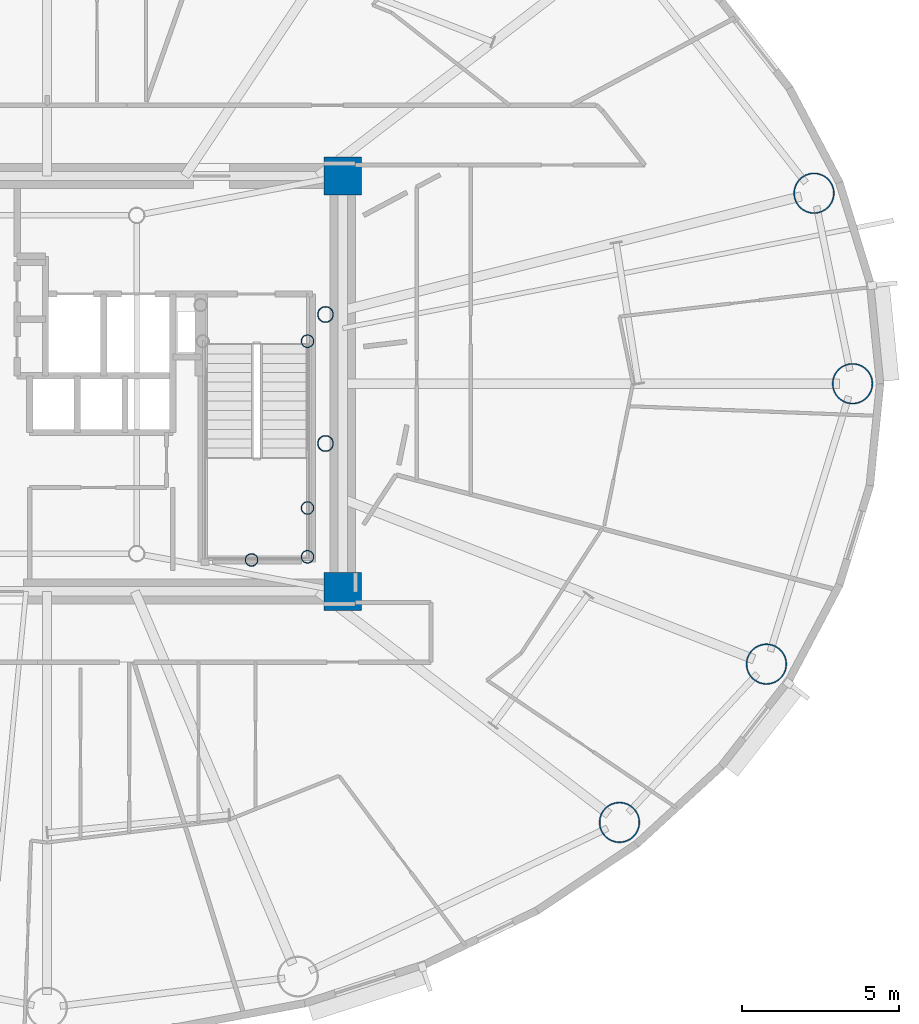
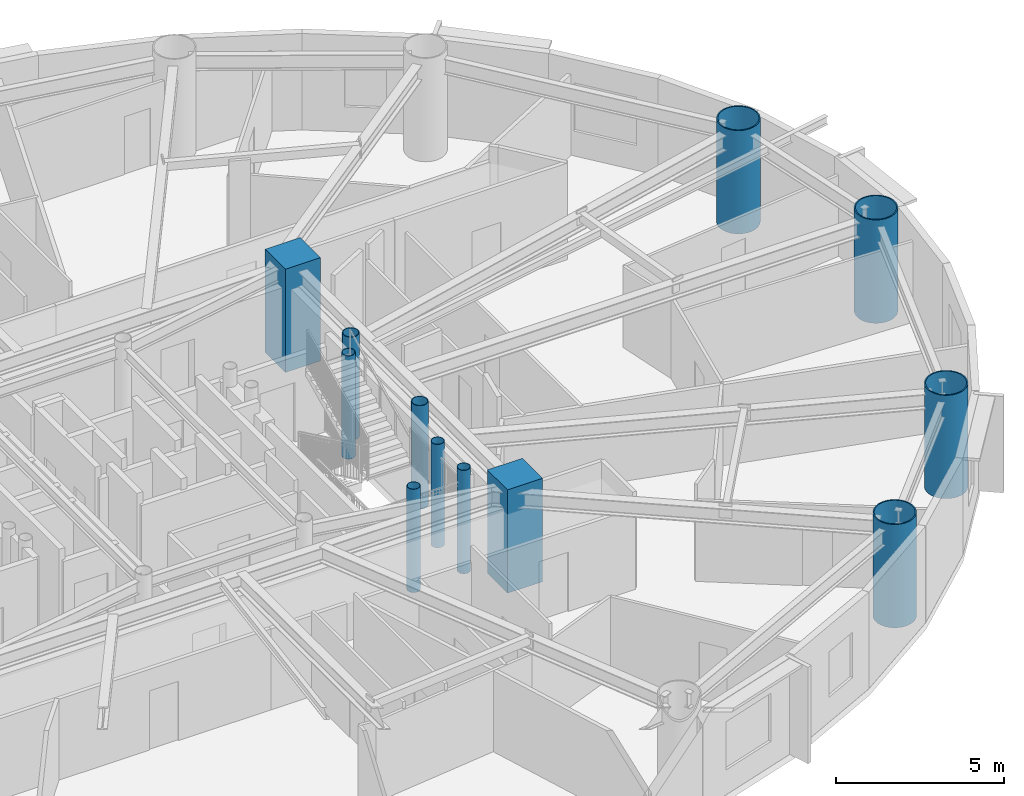
# One storey, part 2 of 19: 12 columns.
"""IFC4 building model written with IfcOpenShell, lengths in metres."""

import ifcopenshell
import ifcopenshell.guid

model = None  # the IFC model being written
_history = None  # IfcOwnerHistory: only IFC2X3 demands one
_inside = {}  # id of a spatial element -> (the spatial element, [elements in it])
_under = {}  # id of a project, library or spatial element -> (it, [spatial elements below it])
_declared = {}  # id of a project -> (the project, [libraries it declares])
_typed = {}  # id of a type object -> (the type object, [elements of that type])
_made_of = {}  # id of a material, layer set ... -> (it, [elements and type objects made of it])


def new_model(schema):
    """Start an empty IFC model of exactly this schema.

    Asked for "IFC4X3", IfcOpenShell would pick the latest addendum, in which some entities
    have other attributes; the version numbers below select the first issue.
    IFC2X3 requires an IfcOwnerHistory on every rooted entity: one is made here for all.
    """
    global model, _history
    if schema == "IFC4X3":
        model = ifcopenshell.file(schema_version=(4, 3, 0, 0))
    else:
        model = ifcopenshell.file(schema=schema)
    _inside.clear()
    _under.clear()
    _declared.clear()
    _typed.clear()
    _made_of.clear()
    _history = None
    if model.schema == "IFC2X3":
        org = make("IfcOrganization", Name="unknown")
        user = make(
            "IfcPersonAndOrganization",
            ThePerson=make("IfcPerson", FamilyName="unknown"),
            TheOrganization=org,
        )
        app = make(
            "IfcApplication",
            ApplicationDeveloper=org,
            Version="unknown",
            ApplicationFullName="unknown",
            ApplicationIdentifier="unknown",
        )
        _history = make(
            "IfcOwnerHistory",
            OwningUser=user,
            OwningApplication=app,
            ChangeAction="ADDED",
            CreationDate=0,
        )
    return model


def make(cls, **values):
    """One entity of the class cls with the attributes given. An attribute that is None is left unset."""
    return model.create_entity(
        cls, **{name: value for name, value in values.items() if value is not None}
    )


def rooted(cls, **values):
    """An entity with a GlobalId (a new one), such as an element, a storey or a relation."""
    return make(cls, GlobalId=ifcopenshell.guid.new(), OwnerHistory=_history, **values)


def si_unit(unit_type, name, prefix=None):
    """IfcSIUnit, for example si_unit("LENGTHUNIT", "METRE", prefix="MILLI")."""
    return make("IfcSIUnit", UnitType=unit_type, Prefix=prefix, Name=name)


def assignment(units):
    """IfcUnitAssignment: the units of a project."""
    return None if units is None else make("IfcUnitAssignment", Units=units)


def point(xyz):
    """IfcCartesianPoint."""
    return None if xyz is None else make("IfcCartesianPoint", Coordinates=xyz)


def direction(xyz):
    """IfcDirection."""
    return None if xyz is None else make("IfcDirection", DirectionRatios=xyz)


def frame(location, z_axis=None, x_axis=None):
    """IfcAxis2Placement3D, a coordinate frame: its origin and axes. An axis left out is left unset."""
    return make(
        "IfcAxis2Placement3D",
        Location=point(location),
        Axis=direction(z_axis),
        RefDirection=direction(x_axis),
    )


def frame_2d(location, x_axis=None):
    """IfcAxis2Placement2D, a coordinate frame in the plane: its origin and x axis."""
    return make(
        "IfcAxis2Placement2D", Location=point(location), RefDirection=direction(x_axis)
    )


def origin():
    """The frame at (0, 0, 0) with its axes left unset."""
    return frame((0.0, 0.0, 0.0))


def origin_2d():
    """The frame at (0, 0) in the plane with its x axis left unset."""
    return frame_2d((0.0, 0.0))


def place(relative_to, where):
    """IfcLocalPlacement: puts the frame where relative to a parent placement (None: the world)."""
    return make(
        "IfcLocalPlacement", PlacementRelTo=relative_to, RelativePlacement=where
    )


def context(
    kind, dimensions, precision=None, world=None, true_north=None, identifier=None
):
    """IfcGeometricRepresentationContext, for example the 3D "Model" context."""
    return make(
        "IfcGeometricRepresentationContext",
        ContextIdentifier=identifier,
        ContextType=kind,
        CoordinateSpaceDimension=dimensions,
        Precision=precision,
        WorldCoordinateSystem=world,
        TrueNorth=true_north,
    )


def subcontext(parent, identifier, kind, view, scale=None):
    """IfcGeometricRepresentationSubContext, for example "Body" below "Model"."""
    return make(
        "IfcGeometricRepresentationSubContext",
        ContextIdentifier=identifier,
        ContextType=kind,
        ParentContext=parent,
        TargetScale=scale,
        TargetView=view,
    )


def project(units=None, contexts=None):
    """IfcProject with its units and contexts."""
    return rooted(
        "IfcProject",
        Name="project",
        RepresentationContexts=contexts,
        UnitsInContext=assignment(units),
    )


def spatial(cls, under=None, at=None, **own):
    """A site, building, storey or space (cls), placed at a placement, below another one or the project."""
    s = rooted(cls, ObjectPlacement=at, **own)
    if under is not None:
        _under.setdefault(under.id(), (under, []))[1].append(s)
    return s


def profile(cls, at=None, kind="AREA", **sizes):
    """A parametric profile (cls). Its sizes go by their IFC names, for example OverallWidth=200.0."""
    return make(cls, ProfileType=kind, Position=at, **sizes)


def rectangle(**sizes):
    """IfcRectangleProfileDef."""
    return profile("IfcRectangleProfileDef", **sizes)


def hollow_circle(**sizes):
    """IfcCircleHollowProfileDef."""
    return profile("IfcCircleHollowProfileDef", **sizes)


def extrude(swept, where, along, depth):
    """IfcExtrudedAreaSolid: the profile swept, set in the frame where, extruded along a direction by depth."""
    return make(
        "IfcExtrudedAreaSolid",
        SweptArea=swept,
        Position=where,
        ExtrudedDirection=direction(along),
        Depth=depth,
    )


def shape(context_of_items, identifier, shape_type, items):
    """IfcShapeRepresentation: the items that make up one representation, for example the "Body"."""
    return make(
        "IfcShapeRepresentation",
        ContextOfItems=context_of_items,
        RepresentationIdentifier=identifier,
        RepresentationType=shape_type,
        Items=items,
    )


def material(Name=None, Category=None):
    """IfcMaterial."""
    return make("IfcMaterial", Name=Name, Category=Category)


def material_profile(
    of_material, cross_section, Name=None, Category=None, Priority=None
):
    """IfcMaterialProfile: a cross section and its material."""
    return make(
        "IfcMaterialProfile",
        Name=Name,
        Material=of_material,
        Profile=cross_section,
        Priority=Priority,
        Category=Category,
    )


def profile_set(profiles, Name=None, composite=None):
    """IfcMaterialProfileSet."""
    return make(
        "IfcMaterialProfileSet",
        Name=Name,
        MaterialProfiles=profiles,
        CompositeProfile=composite,
    )


def made_of(thing, what):
    """Note that an element or type object is made of a material, layer set ...; save() writes the relation."""
    if what is not None:
        _made_of.setdefault(what.id(), (what, []))[1].append(thing)
    return thing


def type_object(cls, material=None, **own):
    """A type object (cls), such as IfcWallType, which elements share."""
    return made_of(rooted(cls, **own), material)


def element(
    cls,
    number,
    at=None,
    inside=None,
    cuts=None,
    type_object=None,
    material=None,
    context=None,
    identifier="Body",
    shape_type=None,
    held_by="IfcProductDefinitionShape",
    body=None,
    shapes=None,
    **own,
):
    """One element of the class cls, such as IfcWall. Its Tag is "e" and its number.

    at: its placement. inside: the storey or other place that contains it. cuts: it is an
    opening in that element (IfcRelVoidsElement). A single representation is given by context,
    identifier, shape_type and body (its items); several are given by shapes. held_by: the class
    of the entity that holds the representations. save() writes the other relations.
    """
    e = rooted(cls, Tag="e%d" % number, ObjectPlacement=at, **own)
    if body is not None:
        shapes = [shape(context, identifier, shape_type, body)]
    if shapes is not None:
        e.Representation = make(held_by, Representations=shapes)
    if inside is not None:
        _inside.setdefault(inside.id(), (inside, []))[1].append(e)
    if cuts is not None:
        rooted(
            "IfcRelVoidsElement", RelatingBuildingElement=cuts, RelatedOpeningElement=e
        )
    if type_object is not None:
        _typed.setdefault(type_object.id(), (type_object, []))[1].append(e)
    return made_of(e, material)


def aggregate(whole, parts):
    """IfcRelAggregates: a whole, such as a stair, and the parts it consists of."""
    return rooted("IfcRelAggregates", RelatingObject=whole, RelatedObjects=parts)


def save(model, path):
    """Write the relations noted so far, then the file.

    IfcRelAggregates (storeys below a building ...), IfcRelContainedInSpatialStructure (elements
    in a storey), IfcRelDefinesByType, IfcRelAssociatesMaterial and IfcRelDeclares: one each for
    every whole, place, type object, material and project.
    """
    for whole, parts in _under.values():
        aggregate(whole, parts)
    for where, things in _inside.values():
        rooted(
            "IfcRelContainedInSpatialStructure",
            RelatedElements=things,
            RelatingStructure=where,
        )
    for kind, things in _typed.values():
        rooted("IfcRelDefinesByType", RelatedObjects=things, RelatingType=kind)
    for what, things in _made_of.values():
        rooted("IfcRelAssociatesMaterial", RelatedObjects=things, RelatingMaterial=what)
    for by, libraries in _declared.values():
        rooted("IfcRelDeclares", RelatingContext=by, RelatedDefinitions=libraries)
    model.write(path)


model = new_model("IFC4")

# Units and contexts
model_context = context("Model", 3, precision=1e-05, world=origin(), true_north=direction((0.0, 1.0)))
body_context = subcontext(model_context, "Body", "Model", "MODEL_VIEW")
ifc_project = project(units=[si_unit("LENGTHUNIT", "METRE"), si_unit("AREAUNIT", "SQUARE_METRE"), si_unit("VOLUMEUNIT", "CUBIC_METRE"), si_unit("PLANEANGLEUNIT", "RADIAN"), si_unit("MASSUNIT", "GRAM", prefix="KILO")], contexts=[model_context])

# Site, building, storey
site_placement = place(None, origin())
site = spatial("IfcSite", under=ifc_project, at=site_placement, CompositionType="ELEMENT")
building_placement = place(site_placement, origin())
building = spatial("IfcBuilding", under=site, at=building_placement, Name="Linh Dai School and Residence Tower", CompositionType="ELEMENT")
storey_placement = place(building_placement, frame((0.0, 0.0, 174.89990234375)))
storey = spatial("IfcBuildingStorey", under=building, at=storey_placement, Name="L42", CompositionType="ELEMENT", Elevation=174.89990234375)

# Columns
ifc_material_1 = material(Name="Concrete B60 (C50/60)", Category="concrete")
ifc_material_profile_1 = material_profile(ifc_material_1, rectangle(XDim=1.199951171875, YDim=1.199951171875, at=origin_2d()), Name="RC 1200x1200")
ifc_profile_set_1 = profile_set([ifc_material_profile_1], Name="Concrete B60 (C50/60)")
column_type_1 = type_object("IfcColumnType", Name="COL-CC2", PredefinedType="COLUMN", material=ifc_profile_set_1)
for number, where, z_axis, x_axis, name in (
    (1, (45.39990234375, 20.39990234375, 0.0), (0.0, 0.0, 1.0), (1.0, 0.0, 0.0), "L42 Core Corner Pier CC2"),
    (2, (45.39990234375, 33.60009765625, 0.0), (0.0, 0.0, 1.0), (1.0, 0.0, 0.0), "L42 Core Corner Pier CC3"),
):
    element("IfcColumn", number, at=place(storey_placement, frame(where, z_axis=z_axis, x_axis=x_axis)), inside=storey, type_object=column_type_1, Name=name, PredefinedType="COLUMN", context=body_context, shape_type="SweptSolid", body=[
        extrude(rectangle(XDim=1.199951171875, YDim=1.199951171875, at=origin_2d()), origin(), (0.0, 0.0, 1.0), 3.75),
    ])
ifc_material_2 = material(Name="Structural Steel S355JR", Category="steel")
ifc_material_profile_2 = material_profile(ifc_material_2, hollow_circle(Radius=0.203125, WallThickness=0.01611328125, at=origin_2d()), Name="CHS 406.4x16")
ifc_profile_set_2 = profile_set([ifc_material_profile_2], Name="Structural Steel S355JR")
column_type_2 = type_object("IfcColumnType", Name="COL-EC", PredefinedType="COLUMN", material=ifc_profile_set_2)
for number, where, z_axis, x_axis, name in (
    (3, (44.280029296875, 21.5, 0.0), (0.0, 0.0, 1.0), (1.0, 0.0, 0.0), "L42 Stair Shaft Landing Support Pier ST2SE"),
    (4, (44.280029296875, 23.050048828125, 0.0), (0.0, 0.0, 1.0), (1.0, 0.0, 0.0), "L42 Stair Shaft Landing Support Pier ST2NE"),
    (5, (42.5, 21.39990234375, 0.0), (0.0, 0.0, 1.0), (1.0, 0.0, 0.0), "L42 Stair Shaft Landing Support Pier ST2MS"),
    (6, (44.280029296875, 28.35009765625, 0.0), (0.0, 0.0, 1.0), (1.0, 0.0, 0.0), "L42 Stair Shaft Landing Support Pier ST2N2"),
):
    element("IfcColumn", number, at=place(storey_placement, frame(where, z_axis=z_axis, x_axis=x_axis)), inside=storey, type_object=column_type_2, Name=name, PredefinedType="COLUMN", context=body_context, shape_type="SweptSolid", body=[
        extrude(hollow_circle(Radius=0.203125, WallThickness=0.01611328125, at=origin_2d()), origin(), (0.0, 0.0, 1.0), 3.75),
    ])
ifc_material_profile_3 = material_profile(ifc_material_2, hollow_circle(Radius=0.64990234375, WallThickness=0.0400390625, at=origin_2d()), Name="CHS 1300x40")
ifc_profile_set_3 = profile_set([ifc_material_profile_3], Name="Structural Steel S355JR")
column_type_3 = type_object("IfcColumnType", Name="COL-MC4", PredefinedType="COLUMN", material=ifc_profile_set_3)
for number, where, z_axis, x_axis, name in (
    (7, (61.60009765625, 27.0, 0.0), (0.0, 0.0, 1.0), (1.0, 0.0, 0.0), "L42 Perimeter CFT Mega-Column MC01"),
    (8, (60.37451171875, 33.053466796875, 0.0), (0.0, 0.0, 1.0), (1.0, 0.0, 0.0), "L42 Perimeter CFT Mega-Column MC02"),
    (9, (54.1923828125, 13.058349609375, 0.0), (0.0, 0.0, 1.0), (1.0, 0.0, 0.0), "L42 Perimeter CFT Mega-Column MC15"),
    (10, (58.862548828125, 18.0888671875, 0.0), (0.0, 0.0, 1.0), (1.0, 0.0, 0.0), "L42 Perimeter CFT Mega-Column MC16"),
):
    element("IfcColumn", number, at=place(storey_placement, frame(where, z_axis=z_axis, x_axis=x_axis)), inside=storey, type_object=column_type_3, Name=name, PredefinedType="COLUMN", context=body_context, shape_type="SweptSolid", body=[
        extrude(hollow_circle(Radius=0.64990234375, WallThickness=0.0400390625, at=origin_2d()), origin(), (0.0, 0.0, 1.0), 3.75),
    ])
ifc_material_profile_4 = material_profile(ifc_material_2, hollow_circle(Radius=0.25390625, WallThickness=0.02001953125, at=origin_2d()), Name="CHS 508x20")
ifc_profile_set_4 = profile_set([ifc_material_profile_4], Name="Structural Steel S355JR")
column_type_4 = type_object("IfcColumnType", Name="COL-MCP", PredefinedType="COLUMN", material=ifc_profile_set_4)
for number, where, z_axis, x_axis, name in (
    (11, (44.85009765625, 25.10009765625, 0.0), (0.0, 0.0, 1.0), (1.0, 0.0, 0.0), "L42 Sky-Lounge Core Anchor Pier S"),
    (12, (44.85009765625, 29.199951171875, 0.0), (0.0, 0.0, 1.0), (1.0, 0.0, 0.0), "L42 Sky-Lounge Core Anchor Pier N"),
):
    element("IfcColumn", number, at=place(storey_placement, frame(where, z_axis=z_axis, x_axis=x_axis)), inside=storey, type_object=column_type_4, Name=name, PredefinedType="COLUMN", context=body_context, shape_type="SweptSolid", body=[
        extrude(hollow_circle(Radius=0.25390625, WallThickness=0.02001953125, at=origin_2d()), origin(), (0.0, 0.0, 1.0), 3.75),
    ])

save(model, "model.ifc")
